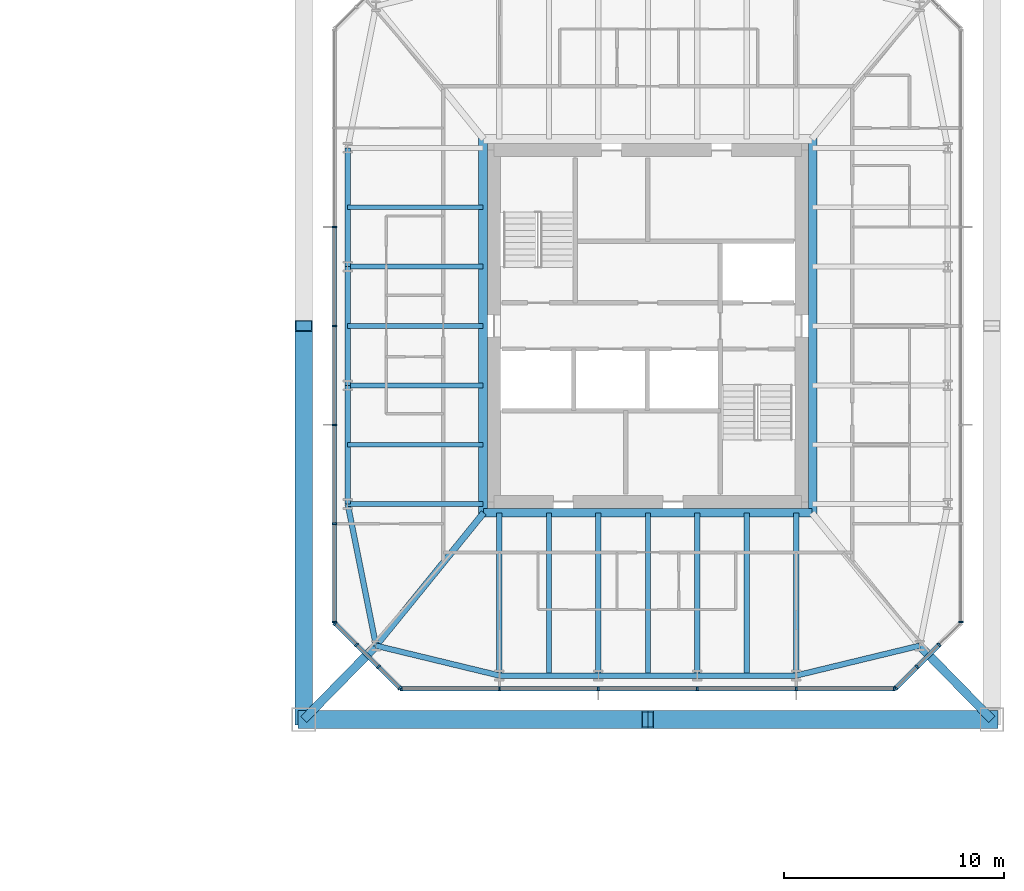
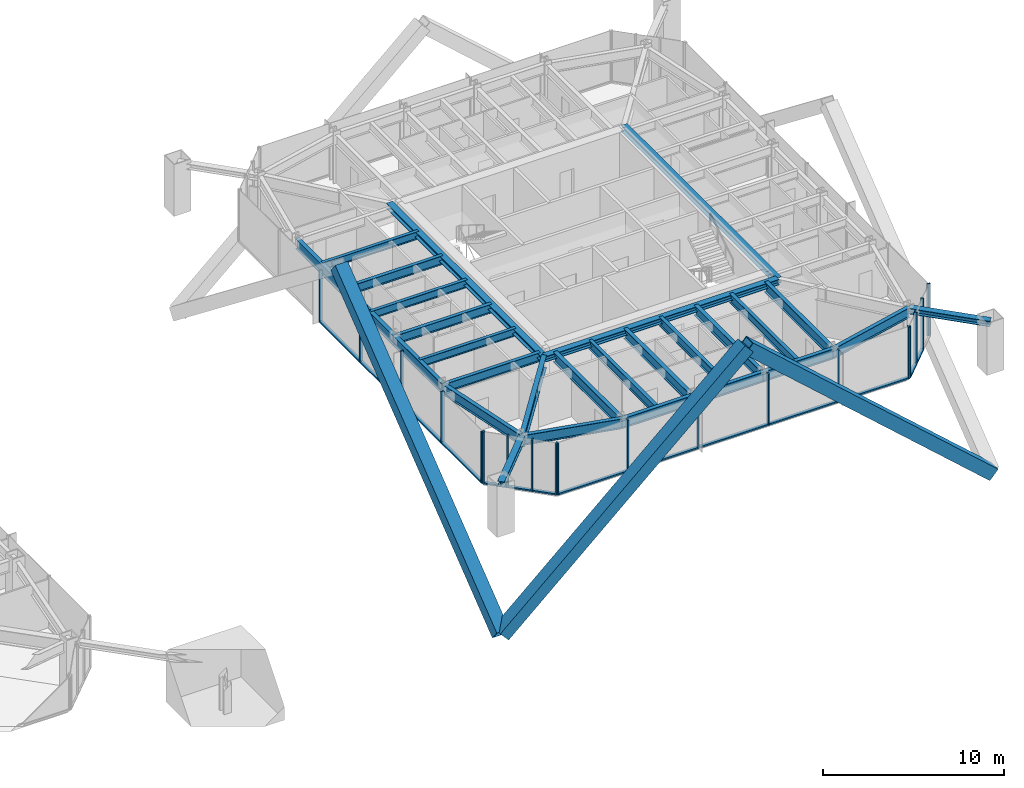
# One storey, part 8 of 25: 38 members, 26 beams, 5 elements without a shape of their own.
"""IFC4 building model written with IfcOpenShell, lengths in metres."""

import ifcopenshell
import ifcopenshell.guid

model = None  # the IFC model being written
_history = None  # IfcOwnerHistory: only IFC2X3 demands one
_inside = {}  # id of a spatial element -> (the spatial element, [elements in it])
_under = {}  # id of a project, library or spatial element -> (it, [spatial elements below it])
_declared = {}  # id of a project -> (the project, [libraries it declares])
_typed = {}  # id of a type object -> (the type object, [elements of that type])
_made_of = {}  # id of a material, layer set ... -> (it, [elements and type objects made of it])


def new_model(schema):
    """Start an empty IFC model of exactly this schema.

    Asked for "IFC4X3", IfcOpenShell would pick the latest addendum, in which some entities
    have other attributes; the version numbers below select the first issue.
    IFC2X3 requires an IfcOwnerHistory on every rooted entity: one is made here for all.
    """
    global model, _history
    if schema == "IFC4X3":
        model = ifcopenshell.file(schema_version=(4, 3, 0, 0))
    else:
        model = ifcopenshell.file(schema=schema)
    _inside.clear()
    _under.clear()
    _declared.clear()
    _typed.clear()
    _made_of.clear()
    _history = None
    if model.schema == "IFC2X3":
        org = make("IfcOrganization", Name="unknown")
        user = make(
            "IfcPersonAndOrganization",
            ThePerson=make("IfcPerson", FamilyName="unknown"),
            TheOrganization=org,
        )
        app = make(
            "IfcApplication",
            ApplicationDeveloper=org,
            Version="unknown",
            ApplicationFullName="unknown",
            ApplicationIdentifier="unknown",
        )
        _history = make(
            "IfcOwnerHistory",
            OwningUser=user,
            OwningApplication=app,
            ChangeAction="ADDED",
            CreationDate=0,
        )
    return model


def make(cls, **values):
    """One entity of the class cls with the attributes given. An attribute that is None is left unset."""
    return model.create_entity(
        cls, **{name: value for name, value in values.items() if value is not None}
    )


def rooted(cls, **values):
    """An entity with a GlobalId (a new one), such as an element, a storey or a relation."""
    return make(cls, GlobalId=ifcopenshell.guid.new(), OwnerHistory=_history, **values)


def si_unit(unit_type, name, prefix=None):
    """IfcSIUnit, for example si_unit("LENGTHUNIT", "METRE", prefix="MILLI")."""
    return make("IfcSIUnit", UnitType=unit_type, Prefix=prefix, Name=name)


def assignment(units):
    """IfcUnitAssignment: the units of a project."""
    return None if units is None else make("IfcUnitAssignment", Units=units)


def point(xyz):
    """IfcCartesianPoint."""
    return None if xyz is None else make("IfcCartesianPoint", Coordinates=xyz)


def direction(xyz):
    """IfcDirection."""
    return None if xyz is None else make("IfcDirection", DirectionRatios=xyz)


def frame(location, z_axis=None, x_axis=None):
    """IfcAxis2Placement3D, a coordinate frame: its origin and axes. An axis left out is left unset."""
    return make(
        "IfcAxis2Placement3D",
        Location=point(location),
        Axis=direction(z_axis),
        RefDirection=direction(x_axis),
    )


def frame_2d(location, x_axis=None):
    """IfcAxis2Placement2D, a coordinate frame in the plane: its origin and x axis."""
    return make(
        "IfcAxis2Placement2D", Location=point(location), RefDirection=direction(x_axis)
    )


def origin():
    """The frame at (0, 0, 0) with its axes left unset."""
    return frame((0.0, 0.0, 0.0))


def origin_2d():
    """The frame at (0, 0) in the plane with its x axis left unset."""
    return frame_2d((0.0, 0.0))


def place(relative_to, where):
    """IfcLocalPlacement: puts the frame where relative to a parent placement (None: the world)."""
    return make(
        "IfcLocalPlacement", PlacementRelTo=relative_to, RelativePlacement=where
    )


def context(
    kind, dimensions, precision=None, world=None, true_north=None, identifier=None
):
    """IfcGeometricRepresentationContext, for example the 3D "Model" context."""
    return make(
        "IfcGeometricRepresentationContext",
        ContextIdentifier=identifier,
        ContextType=kind,
        CoordinateSpaceDimension=dimensions,
        Precision=precision,
        WorldCoordinateSystem=world,
        TrueNorth=true_north,
    )


def subcontext(parent, identifier, kind, view, scale=None):
    """IfcGeometricRepresentationSubContext, for example "Body" below "Model"."""
    return make(
        "IfcGeometricRepresentationSubContext",
        ContextIdentifier=identifier,
        ContextType=kind,
        ParentContext=parent,
        TargetScale=scale,
        TargetView=view,
    )


def project(units=None, contexts=None):
    """IfcProject with its units and contexts."""
    return rooted(
        "IfcProject",
        Name="project",
        RepresentationContexts=contexts,
        UnitsInContext=assignment(units),
    )


def spatial(cls, under=None, at=None, **own):
    """A site, building, storey or space (cls), placed at a placement, below another one or the project."""
    s = rooted(cls, ObjectPlacement=at, **own)
    if under is not None:
        _under.setdefault(under.id(), (under, []))[1].append(s)
    return s


def profile(cls, at=None, kind="AREA", **sizes):
    """A parametric profile (cls). Its sizes go by their IFC names, for example OverallWidth=200.0."""
    return make(cls, ProfileType=kind, Position=at, **sizes)


def rectangle(**sizes):
    """IfcRectangleProfileDef."""
    return profile("IfcRectangleProfileDef", **sizes)


def hollow_rectangle(**sizes):
    """IfcRectangleHollowProfileDef."""
    return profile("IfcRectangleHollowProfileDef", **sizes)


def i_section(**sizes):
    """IfcIShapeProfileDef."""
    return profile("IfcIShapeProfileDef", **sizes)


def extrude(swept, where, along, depth):
    """IfcExtrudedAreaSolid: the profile swept, set in the frame where, extruded along a direction by depth."""
    return make(
        "IfcExtrudedAreaSolid",
        SweptArea=swept,
        Position=where,
        ExtrudedDirection=direction(along),
        Depth=depth,
    )


def shape(context_of_items, identifier, shape_type, items):
    """IfcShapeRepresentation: the items that make up one representation, for example the "Body"."""
    return make(
        "IfcShapeRepresentation",
        ContextOfItems=context_of_items,
        RepresentationIdentifier=identifier,
        RepresentationType=shape_type,
        Items=items,
    )


def material(Name=None, Category=None):
    """IfcMaterial."""
    return make("IfcMaterial", Name=Name, Category=Category)


def material_profile(
    of_material, cross_section, Name=None, Category=None, Priority=None
):
    """IfcMaterialProfile: a cross section and its material."""
    return make(
        "IfcMaterialProfile",
        Name=Name,
        Material=of_material,
        Profile=cross_section,
        Priority=Priority,
        Category=Category,
    )


def profile_set(profiles, Name=None, composite=None):
    """IfcMaterialProfileSet."""
    return make(
        "IfcMaterialProfileSet",
        Name=Name,
        MaterialProfiles=profiles,
        CompositeProfile=composite,
    )


def made_of(thing, what):
    """Note that an element or type object is made of a material, layer set ...; save() writes the relation."""
    if what is not None:
        _made_of.setdefault(what.id(), (what, []))[1].append(thing)
    return thing


def type_object(cls, material=None, **own):
    """A type object (cls), such as IfcWallType, which elements share."""
    return made_of(rooted(cls, **own), material)


def element(
    cls,
    number,
    at=None,
    inside=None,
    cuts=None,
    type_object=None,
    material=None,
    context=None,
    identifier="Body",
    shape_type=None,
    held_by="IfcProductDefinitionShape",
    body=None,
    shapes=None,
    **own,
):
    """One element of the class cls, such as IfcWall. Its Tag is "e" and its number.

    at: its placement. inside: the storey or other place that contains it. cuts: it is an
    opening in that element (IfcRelVoidsElement). A single representation is given by context,
    identifier, shape_type and body (its items); several are given by shapes. held_by: the class
    of the entity that holds the representations. save() writes the other relations.
    """
    e = rooted(cls, Tag="e%d" % number, ObjectPlacement=at, **own)
    if body is not None:
        shapes = [shape(context, identifier, shape_type, body)]
    if shapes is not None:
        e.Representation = make(held_by, Representations=shapes)
    if inside is not None:
        _inside.setdefault(inside.id(), (inside, []))[1].append(e)
    if cuts is not None:
        rooted(
            "IfcRelVoidsElement", RelatingBuildingElement=cuts, RelatedOpeningElement=e
        )
    if type_object is not None:
        _typed.setdefault(type_object.id(), (type_object, []))[1].append(e)
    return made_of(e, material)


def aggregate(whole, parts):
    """IfcRelAggregates: a whole, such as a stair, and the parts it consists of."""
    return rooted("IfcRelAggregates", RelatingObject=whole, RelatedObjects=parts)


def save(model, path):
    """Write the relations noted so far, then the file.

    IfcRelAggregates (storeys below a building ...), IfcRelContainedInSpatialStructure (elements
    in a storey), IfcRelDefinesByType, IfcRelAssociatesMaterial and IfcRelDeclares: one each for
    every whole, place, type object, material and project.
    """
    for whole, parts in _under.values():
        aggregate(whole, parts)
    for where, things in _inside.values():
        rooted(
            "IfcRelContainedInSpatialStructure",
            RelatedElements=things,
            RelatingStructure=where,
        )
    for kind, things in _typed.values():
        rooted("IfcRelDefinesByType", RelatedObjects=things, RelatingType=kind)
    for what, things in _made_of.values():
        rooted("IfcRelAssociatesMaterial", RelatedObjects=things, RelatingMaterial=what)
    for by, libraries in _declared.values():
        rooted("IfcRelDeclares", RelatingContext=by, RelatedDefinitions=libraries)
    model.write(path)


model = new_model("IFC4")

# Units and contexts
model_context = context("Model", 3, precision=1e-05, world=origin(), true_north=direction((0.0, 1.0)))
body_context = subcontext(model_context, "Body", "Model", "MODEL_VIEW")
ifc_project = project(units=[si_unit("LENGTHUNIT", "METRE"), si_unit("AREAUNIT", "SQUARE_METRE"), si_unit("VOLUMEUNIT", "CUBIC_METRE"), si_unit("PLANEANGLEUNIT", "RADIAN"), si_unit("MASSUNIT", "GRAM", prefix="KILO")], contexts=[model_context])

# Site, building, storey
site_placement = place(None, origin())
site = spatial("IfcSite", under=ifc_project, at=site_placement, CompositionType="ELEMENT")
building_placement = place(site_placement, origin())
building = spatial("IfcBuilding", under=site, at=building_placement, Name="Iwan Alto Co-Living Towers", CompositionType="ELEMENT")
storey_placement = place(building_placement, frame((0.0, 0.0, 108.5)))
storey = spatial("IfcBuildingStorey", under=building, at=storey_placement, Name="L29", CompositionType="ELEMENT", Elevation=108.5)

# Curtain wall, members
ifc_material_1 = material(Name="Bronze aluminium unitised frame", Category="aluminium")
curtain_wall_type_1 = type_object("IfcCurtainWallType", Name="CURTAIN WALL CW-C", PredefinedType="NOTDEFINED", material=ifc_material_1)
curtain_wall_1_placement = place(storey_placement, origin())
curtain_wall_1 = element("IfcCurtainWall", 1, at=curtain_wall_1_placement, inside=storey, type_object=curtain_wall_type_1, Name="T2 curtain wall S L29", PredefinedType="NOTDEFINED")
ifc_material_2 = material(Name="Aluminium 6063-T6 bronze anodised", Category="aluminium")
ifc_material_profile_1 = material_profile(ifc_material_2, rectangle(XDim=0.199951171875, YDim=0.080078125, at=origin_2d()), Name="AL 80X200")
ifc_profile_set_1 = profile_set([ifc_material_profile_1], Name="Aluminium 6063-T6 bronze anodised")
member_type_1 = type_object("IfcMemberType", Name="CW-C MULLION 80X200", PredefinedType="MULLION", material=ifc_profile_set_1)
member_1_placement = place(storey_placement, frame((51.7900390625, -16.5, 0.0), z_axis=(0.0, 0.0, 1.0), x_axis=(0.0, 1.0, 0.0)))
member_1 = element("IfcMember", 2, at=member_1_placement, type_object=member_type_1, Name="CW-C mullion 1", PredefinedType="MULLION", context=body_context, shape_type="SweptSolid", body=[
    extrude(rectangle(XDim=0.199951171875, YDim=0.080078125, at=origin_2d()), origin(), (0.0, 0.0, 1.0), 3.5),
])
member_2_placement = place(storey_placement, frame((56.25, -16.5, 0.0), z_axis=(0.0, 0.0, 1.0), x_axis=(0.0, 1.0, 0.0)))
member_2 = element("IfcMember", 3, at=member_2_placement, type_object=member_type_1, Name="CW-C mullion 2", PredefinedType="MULLION", context=body_context, shape_type="SweptSolid", body=[
    extrude(rectangle(XDim=0.199951171875, YDim=0.080078125, at=origin_2d()), origin(), (0.0, 0.0, 1.0), 3.5),
])
member_3_placement = place(storey_placement, frame((60.75, -16.5, 0.0), z_axis=(0.0, 0.0, 1.0), x_axis=(0.0, 1.0, 0.0)))
member_3 = element("IfcMember", 4, at=member_3_placement, type_object=member_type_1, Name="CW-C mullion 3", PredefinedType="MULLION", context=body_context, shape_type="SweptSolid", body=[
    extrude(rectangle(XDim=0.199951171875, YDim=0.080078125, at=origin_2d()), origin(), (0.0, 0.0, 1.0), 3.5),
])
member_4_placement = place(storey_placement, frame((65.25, -16.5, 0.0), z_axis=(0.0, 0.0, 1.0), x_axis=(0.0, 1.0, 0.0)))
member_4 = element("IfcMember", 5, at=member_4_placement, type_object=member_type_1, Name="CW-C mullion 4", PredefinedType="MULLION", context=body_context, shape_type="SweptSolid", body=[
    extrude(rectangle(XDim=0.199951171875, YDim=0.080078125, at=origin_2d()), origin(), (0.0, 0.0, 1.0), 3.5),
])
member_5_placement = place(storey_placement, frame((69.75, -16.5, 0.0), z_axis=(0.0, 0.0, 1.0), x_axis=(0.0, 1.0, 0.0)))
member_5 = element("IfcMember", 6, at=member_5_placement, type_object=member_type_1, Name="CW-C mullion 5", PredefinedType="MULLION", context=body_context, shape_type="SweptSolid", body=[
    extrude(rectangle(XDim=0.199951171875, YDim=0.080078125, at=origin_2d()), origin(), (0.0, 0.0, 1.0), 3.5),
])
member_6_placement = place(storey_placement, frame((74.2099609375, -16.5, 0.0), z_axis=(0.0, 0.0, 1.0), x_axis=(0.0, 1.0, 0.0)))
member_6 = element("IfcMember", 7, at=member_6_placement, type_object=member_type_1, Name="CW-C mullion 6", PredefinedType="MULLION", context=body_context, shape_type="SweptSolid", body=[
    extrude(rectangle(XDim=0.199951171875, YDim=0.080078125, at=origin_2d()), origin(), (0.0, 0.0, 1.0), 3.5),
])

# Curtain wall, member
curtain_wall_2_placement = place(storey_placement, origin())
curtain_wall_2 = element("IfcCurtainWall", 8, at=curtain_wall_2_placement, inside=storey, type_object=curtain_wall_type_1, Name="T2 curtain wall E L29", PredefinedType="NOTDEFINED")
member_7_placement = place(storey_placement, frame((77.25, -13.4599609375, 0.0), z_axis=(0.0, 0.0, 1.0), x_axis=(-1.0, 0.0, 0.0)))
member_7 = element("IfcMember", 9, at=member_7_placement, type_object=member_type_1, Name="CW-C mullion 1", PredefinedType="MULLION", context=body_context, shape_type="SweptSolid", body=[
    extrude(rectangle(XDim=0.199951171875, YDim=0.080078125, at=origin_2d()), origin(), (0.0, 0.0, 1.0), 3.5),
])
aggregate(curtain_wall_2, [member_7])

# Curtain wall, members
curtain_wall_3_placement = place(storey_placement, origin())
curtain_wall_3 = element("IfcCurtainWall", 10, at=curtain_wall_3_placement, inside=storey, type_object=curtain_wall_type_1, Name="T2 curtain wall W L29", PredefinedType="NOTDEFINED")
member_8_placement = place(storey_placement, frame((48.75, 4.5, 0.0), z_axis=(0.0, 0.0, 1.0), x_axis=(1.0, 0.0, 0.0)))
member_8 = element("IfcMember", 11, at=member_8_placement, type_object=member_type_1, Name="CW-C mullion 3", PredefinedType="MULLION", context=body_context, shape_type="SweptSolid", body=[
    extrude(rectangle(XDim=0.199951171875, YDim=0.080078125, at=origin_2d()), origin(), (0.0, 0.0, 1.0), 3.5),
])
member_9_placement = place(storey_placement, frame((48.75, 0.0, 0.0), z_axis=(0.0, 0.0, 1.0), x_axis=(1.0, 0.0, 0.0)))
member_9 = element("IfcMember", 12, at=member_9_placement, type_object=member_type_1, Name="CW-C mullion 4", PredefinedType="MULLION", context=body_context, shape_type="SweptSolid", body=[
    extrude(rectangle(XDim=0.199951171875, YDim=0.080078125, at=origin_2d()), origin(), (0.0, 0.0, 1.0), 3.5),
])
member_10_placement = place(storey_placement, frame((48.75, -4.5, 0.0), z_axis=(0.0, 0.0, 1.0), x_axis=(1.0, 0.0, 0.0)))
member_10 = element("IfcMember", 13, at=member_10_placement, type_object=member_type_1, Name="CW-C mullion 5", PredefinedType="MULLION", context=body_context, shape_type="SweptSolid", body=[
    extrude(rectangle(XDim=0.199951171875, YDim=0.080078125, at=origin_2d()), origin(), (0.0, 0.0, 1.0), 3.5),
])
member_11_placement = place(storey_placement, frame((48.75, -9.0, 0.0), z_axis=(0.0, 0.0, 1.0), x_axis=(1.0, 0.0, 0.0)))
member_11 = element("IfcMember", 14, at=member_11_placement, type_object=member_type_1, Name="CW-C mullion 6", PredefinedType="MULLION", context=body_context, shape_type="SweptSolid", body=[
    extrude(rectangle(XDim=0.199951171875, YDim=0.080078125, at=origin_2d()), origin(), (0.0, 0.0, 1.0), 3.5),
])
member_12_placement = place(storey_placement, frame((48.75, -13.4599609375, 0.0), z_axis=(0.0, 0.0, 1.0), x_axis=(1.0, 0.0, 0.0)))
member_12 = element("IfcMember", 15, at=member_12_placement, type_object=member_type_1, Name="CW-C mullion 7", PredefinedType="MULLION", context=body_context, shape_type="SweptSolid", body=[
    extrude(rectangle(XDim=0.199951171875, YDim=0.080078125, at=origin_2d()), origin(), (0.0, 0.0, 1.0), 3.5),
])

# Member
ifc_material_3 = material(Name="Aluminium 6063-T6 bronze anodised", Category="aluminium")
ifc_material_profile_2 = material_profile(ifc_material_3, rectangle(XDim=0.199951171875, YDim=0.10009765625, at=origin_2d()), Name="AL 200X100")
ifc_profile_set_2 = profile_set([ifc_material_profile_2], Name="Aluminium 6063-T6 bronze anodised")
member_type_2 = type_object("IfcMemberType", Name="CW-C TRANSOM 200X100", PredefinedType="USERDEFINED", material=ifc_profile_set_2)
member_13_placement = place(storey_placement, frame((51.830078125, -16.5, 0.050048828125), z_axis=(1.0, 0.0, 0.0), x_axis=(0.0, 1.0, 0.0)))
member_13 = element("IfcMember", 16, at=member_13_placement, type_object=member_type_2, Name="CW-C transom 1.1", ObjectType="TRANSOM", PredefinedType="USERDEFINED", context=body_context, shape_type="SweptSolid", body=[
    extrude(rectangle(XDim=0.199951171875, YDim=0.10009765625, at=origin_2d()), origin(), (0.0, 0.0, 1.0), 4.3798828125),
])

member_14_placement = place(storey_placement, frame((56.2900390625, -16.5, 0.050048828125), z_axis=(1.0, 0.0, 0.0), x_axis=(0.0, 1.0, 0.0)))
member_14 = element("IfcMember", 17, at=member_14_placement, type_object=member_type_2, Name="CW-C transom 2.1", ObjectType="TRANSOM", PredefinedType="USERDEFINED", context=body_context, shape_type="SweptSolid", body=[
    extrude(rectangle(XDim=0.199951171875, YDim=0.10009765625, at=origin_2d()), origin(), (0.0, 0.0, 1.0), 4.419921875),
])

member_15_placement = place(storey_placement, frame((60.7900390625, -16.5, 0.050048828125), z_axis=(1.0, 0.0, 0.0), x_axis=(0.0, 1.0, 0.0)))
member_15 = element("IfcMember", 18, at=member_15_placement, type_object=member_type_2, Name="CW-C transom 3.1", ObjectType="TRANSOM", PredefinedType="USERDEFINED", context=body_context, shape_type="SweptSolid", body=[
    extrude(rectangle(XDim=0.199951171875, YDim=0.10009765625, at=origin_2d()), origin(), (0.0, 0.0, 1.0), 4.419921875),
])

member_16_placement = place(storey_placement, frame((65.2900390625, -16.5, 0.050048828125), z_axis=(1.0, 0.0, 0.0), x_axis=(0.0, 1.0, 0.0)))
member_16 = element("IfcMember", 19, at=member_16_placement, type_object=member_type_2, Name="CW-C transom 4.1", ObjectType="TRANSOM", PredefinedType="USERDEFINED", context=body_context, shape_type="SweptSolid", body=[
    extrude(rectangle(XDim=0.199951171875, YDim=0.10009765625, at=origin_2d()), origin(), (0.0, 0.0, 1.0), 4.419921875),
])

member_17_placement = place(storey_placement, frame((69.7900390625, -16.5, 0.050048828125), z_axis=(1.0, 0.0, 0.0), x_axis=(0.0, 1.0, 0.0)))
member_17 = element("IfcMember", 20, at=member_17_placement, type_object=member_type_2, Name="CW-C transom 5.1", ObjectType="TRANSOM", PredefinedType="USERDEFINED", context=body_context, shape_type="SweptSolid", body=[
    extrude(rectangle(XDim=0.199951171875, YDim=0.10009765625, at=origin_2d()), origin(), (0.0, 0.0, 1.0), 4.3798828125),
])

aggregate(curtain_wall_1, [member_1, member_2, member_3, member_4, member_5, member_6, member_13, member_14, member_15, member_16, member_17])

member_18_placement = place(storey_placement, frame((48.75, 4.4599609375, 0.050048828125), z_axis=(0.0, -1.0, 0.0), x_axis=(1.0, 0.0, 0.0)))
member_18 = element("IfcMember", 21, at=member_18_placement, type_object=member_type_2, Name="CW-C transom 3.1", ObjectType="TRANSOM", PredefinedType="USERDEFINED", context=body_context, shape_type="SweptSolid", body=[
    extrude(rectangle(XDim=0.199951171875, YDim=0.10009765625, at=origin_2d()), origin(), (0.0, 0.0, 1.0), 4.419921875),
])

member_19_placement = place(storey_placement, frame((48.75, -0.0400390625, 0.050048828125), z_axis=(0.0, -1.0, 0.0), x_axis=(1.0, 0.0, 0.0)))
member_19 = element("IfcMember", 22, at=member_19_placement, type_object=member_type_2, Name="CW-C transom 4.1", ObjectType="TRANSOM", PredefinedType="USERDEFINED", context=body_context, shape_type="SweptSolid", body=[
    extrude(rectangle(XDim=0.199951171875, YDim=0.10009765625, at=origin_2d()), origin(), (0.0, 0.0, 1.0), 4.419921875),
])

member_20_placement = place(storey_placement, frame((48.75, -4.5400390625, 0.050048828125), z_axis=(0.0, -1.0, 0.0), x_axis=(1.0, 0.0, 0.0)))
member_20 = element("IfcMember", 23, at=member_20_placement, type_object=member_type_2, Name="CW-C transom 5.1", ObjectType="TRANSOM", PredefinedType="USERDEFINED", context=body_context, shape_type="SweptSolid", body=[
    extrude(rectangle(XDim=0.199951171875, YDim=0.10009765625, at=origin_2d()), origin(), (0.0, 0.0, 1.0), 4.419921875),
])

member_21_placement = place(storey_placement, frame((48.75, -9.0400390625, 0.050048828125), z_axis=(0.0, -1.0, 0.0), x_axis=(1.0, 0.0, 0.0)))
member_21 = element("IfcMember", 24, at=member_21_placement, type_object=member_type_2, Name="CW-C transom 6.1", ObjectType="TRANSOM", PredefinedType="USERDEFINED", context=body_context, shape_type="SweptSolid", body=[
    extrude(rectangle(XDim=0.199951171875, YDim=0.10009765625, at=origin_2d()), origin(), (0.0, 0.0, 1.0), 4.3798828125),
])

aggregate(curtain_wall_3, [member_8, member_9, member_10, member_11, member_12, member_18, member_19, member_20, member_21])

# Curtain wall, members
ifc_material_4 = material(Name="Bronze aluminium unitised frame", Category="aluminium")
curtain_wall_type_2 = type_object("IfcCurtainWallType", Name="CURTAIN WALL CW-D", PredefinedType="NOTDEFINED", material=ifc_material_4)
curtain_wall_4_placement = place(storey_placement, origin())
curtain_wall_4 = element("IfcCurtainWall", 25, at=curtain_wall_4_placement, inside=storey, type_object=curtain_wall_type_2, Name="T2 chamfer curtain wall SE L29", PredefinedType="NOTDEFINED")
ifc_material_5 = material(Name="Aluminium 6063-T6 bronze anodised", Category="aluminium")
ifc_material_profile_3 = material_profile(ifc_material_5, rectangle(XDim=0.199951171875, YDim=0.080078125, at=origin_2d()), Name="AL 80X200")
ifc_profile_set_3 = profile_set([ifc_material_profile_3], Name="Aluminium 6063-T6 bronze anodised")
member_type_3 = type_object("IfcMemberType", Name="CW-D MULLION 80X200", PredefinedType="MULLION", material=ifc_profile_set_3)
member_22_placement = place(storey_placement, frame((74.2783203125, -16.4716796875, 0.0), z_axis=(0.0, 0.0, 1.0), x_axis=(-0.707106781187, 0.707106781187, 0.0)))
member_22 = element("IfcMember", 26, at=member_22_placement, type_object=member_type_3, Name="CW-D mullion 1", PredefinedType="MULLION", context=body_context, shape_type="SweptSolid", body=[
    extrude(rectangle(XDim=0.199951171875, YDim=0.080078125, at=origin_2d()), origin(), (0.0, 0.0, 1.0), 3.5),
])
member_23_placement = place(storey_placement, frame((75.25, -15.5, 0.0), z_axis=(0.0, 0.0, 1.0), x_axis=(-0.707106781187, 0.707106781187, 0.0)))
member_23 = element("IfcMember", 27, at=member_23_placement, type_object=member_type_3, Name="CW-D mullion 2", PredefinedType="MULLION", context=body_context, shape_type="SweptSolid", body=[
    extrude(rectangle(XDim=0.199951171875, YDim=0.080078125, at=origin_2d()), origin(), (0.0, 0.0, 1.0), 3.5),
])
member_24_placement = place(storey_placement, frame((76.25, -14.5, 0.0), z_axis=(0.0, 0.0, 1.0), x_axis=(-0.707106781187, 0.707106781187, 0.0)))
member_24 = element("IfcMember", 28, at=member_24_placement, type_object=member_type_3, Name="CW-D mullion 3", PredefinedType="MULLION", context=body_context, shape_type="SweptSolid", body=[
    extrude(rectangle(XDim=0.199951171875, YDim=0.080078125, at=origin_2d()), origin(), (0.0, 0.0, 1.0), 3.5),
])

curtain_wall_5_placement = place(storey_placement, origin())
curtain_wall_5 = element("IfcCurtainWall", 29, at=curtain_wall_5_placement, inside=storey, type_object=curtain_wall_type_2, Name="T2 chamfer curtain wall SW L29", PredefinedType="NOTDEFINED")
member_25_placement = place(storey_placement, frame((48.7783203125, -13.5283203125, 0.0), z_axis=(0.0, 0.0, 1.0), x_axis=(0.707106781187, 0.707106781187, 0.0)))
member_25 = element("IfcMember", 30, at=member_25_placement, type_object=member_type_3, Name="CW-D mullion 1", PredefinedType="MULLION", context=body_context, shape_type="SweptSolid", body=[
    extrude(rectangle(XDim=0.199951171875, YDim=0.080078125, at=origin_2d()), origin(), (0.0, 0.0, 1.0), 3.5),
])
member_26_placement = place(storey_placement, frame((49.75, -14.5, 0.0), z_axis=(0.0, 0.0, 1.0), x_axis=(0.707106781187, 0.707106781187, 0.0)))
member_26 = element("IfcMember", 31, at=member_26_placement, type_object=member_type_3, Name="CW-D mullion 2", PredefinedType="MULLION", context=body_context, shape_type="SweptSolid", body=[
    extrude(rectangle(XDim=0.199951171875, YDim=0.080078125, at=origin_2d()), origin(), (0.0, 0.0, 1.0), 3.5),
])
member_27_placement = place(storey_placement, frame((50.75, -15.5, 0.0), z_axis=(0.0, 0.0, 1.0), x_axis=(0.707106781187, 0.707106781187, 0.0)))
member_27 = element("IfcMember", 32, at=member_27_placement, type_object=member_type_3, Name="CW-D mullion 3", PredefinedType="MULLION", context=body_context, shape_type="SweptSolid", body=[
    extrude(rectangle(XDim=0.199951171875, YDim=0.080078125, at=origin_2d()), origin(), (0.0, 0.0, 1.0), 3.5),
])
member_28_placement = place(storey_placement, frame((51.7216796875, -16.4716796875, 0.0), z_axis=(0.0, 0.0, 1.0), x_axis=(0.707106781187, 0.707106781187, 0.0)))
member_28 = element("IfcMember", 33, at=member_28_placement, type_object=member_type_3, Name="CW-D mullion 4", PredefinedType="MULLION", context=body_context, shape_type="SweptSolid", body=[
    extrude(rectangle(XDim=0.199951171875, YDim=0.080078125, at=origin_2d()), origin(), (0.0, 0.0, 1.0), 3.5),
])

# Member
ifc_material_6 = material(Name="Aluminium 6063-T6 bronze anodised", Category="aluminium")
ifc_material_profile_4 = material_profile(ifc_material_6, rectangle(XDim=0.199951171875, YDim=0.10009765625, at=origin_2d()), Name="AL 200X100")
ifc_profile_set_4 = profile_set([ifc_material_profile_4], Name="Aluminium 6063-T6 bronze anodised")
member_type_4 = type_object("IfcMemberType", Name="CW-D TRANSOM 200X100", PredefinedType="USERDEFINED", material=ifc_profile_set_4)
member_29_placement = place(storey_placement, frame((74.306640625, -16.443359375, 0.050048828125), z_axis=(0.707106781187, 0.707106781187, 0.0), x_axis=(-0.707106781187, 0.707106781187, 0.0)))
member_29 = element("IfcMember", 34, at=member_29_placement, type_object=member_type_4, Name="CW-D transom 1.1", ObjectType="TRANSOM", PredefinedType="USERDEFINED", context=body_context, shape_type="SweptSolid", body=[
    extrude(rectangle(XDim=0.199951171875, YDim=0.10009765625, at=origin_2d()), origin(), (0.0, 0.0, 1.0), 1.2939453125),
])

member_30_placement = place(storey_placement, frame((75.2783203125, -15.4716796875, 0.050048828125), z_axis=(0.707106781187, 0.707106781187, 0.0), x_axis=(-0.707106781187, 0.707106781187, 0.0)))
member_30 = element("IfcMember", 35, at=member_30_placement, type_object=member_type_4, Name="CW-D transom 2.1", ObjectType="TRANSOM", PredefinedType="USERDEFINED", context=body_context, shape_type="SweptSolid", body=[
    extrude(rectangle(XDim=0.199951171875, YDim=0.10009765625, at=origin_2d()), origin(), (0.0, 0.0, 1.0), 1.334228515625),
])

aggregate(curtain_wall_4, [member_22, member_23, member_24, member_29, member_30])

member_31_placement = place(storey_placement, frame((48.806640625, -13.556640625, 0.050048828125), z_axis=(0.707106781187, -0.707106781187, 0.0), x_axis=(0.707106781187, 0.707106781187, 0.0)))
member_31 = element("IfcMember", 36, at=member_31_placement, type_object=member_type_4, Name="CW-D transom 1.1", ObjectType="TRANSOM", PredefinedType="USERDEFINED", context=body_context, shape_type="SweptSolid", body=[
    extrude(rectangle(XDim=0.199951171875, YDim=0.10009765625, at=origin_2d()), origin(), (0.0, 0.0, 1.0), 1.2939453125),
])

member_32_placement = place(storey_placement, frame((49.7783203125, -14.5283203125, 0.050048828125), z_axis=(0.707106781187, -0.707106781187, 0.0), x_axis=(0.707106781187, 0.707106781187, 0.0)))
member_32 = element("IfcMember", 37, at=member_32_placement, type_object=member_type_4, Name="CW-D transom 2.1", ObjectType="TRANSOM", PredefinedType="USERDEFINED", context=body_context, shape_type="SweptSolid", body=[
    extrude(rectangle(XDim=0.199951171875, YDim=0.10009765625, at=origin_2d()), origin(), (0.0, 0.0, 1.0), 1.334228515625),
])

member_33_placement = place(storey_placement, frame((50.7783203125, -15.5283203125, 0.050048828125), z_axis=(0.707106781187, -0.707106781187, 0.0), x_axis=(0.707106781187, 0.707106781187, 0.0)))
member_33 = element("IfcMember", 38, at=member_33_placement, type_object=member_type_4, Name="CW-D transom 3.1", ObjectType="TRANSOM", PredefinedType="USERDEFINED", context=body_context, shape_type="SweptSolid", body=[
    extrude(rectangle(XDim=0.199951171875, YDim=0.10009765625, at=origin_2d()), origin(), (0.0, 0.0, 1.0), 1.2939453125),
])

aggregate(curtain_wall_5, [member_25, member_26, member_27, member_28, member_31, member_32, member_33])

# Beams
ifc_material_7 = material(Name="Steel ASTM A992 Gr 50", Category="steel")
ifc_material_profile_5 = material_profile(ifc_material_7, i_section(OverallWidth=0.398681640625, OverallDepth=0.385986328125, WebThickness=0.02099609375, FlangeThickness=0.033203125, at=origin_2d()), Name="W14X176")
ifc_profile_set_5 = profile_set([ifc_material_profile_5], Name="Steel ASTM A992 Gr 50")
beam_type_1 = type_object("IfcBeamType", Name="T2 CORE LEDGER BEAM W14X176", PredefinedType="BEAM", material=ifc_profile_set_5)
beam_1_placement = place(storey_placement, frame((55.538330078125, -8.49951171875, 3.076904296875), z_axis=(1.0, 0.0, 0.0), x_axis=(0.0, 1.0, 0.0)))
element("IfcBeam", 39, at=beam_1_placement, inside=storey, type_object=beam_type_1, Name="T2 core ledger beam S L30", PredefinedType="BEAM", context=body_context, shape_type="SweptSolid", body=[
    extrude(i_section(OverallWidth=0.398681640625, OverallDepth=0.385986328125, WebThickness=0.02099609375, FlangeThickness=0.033203125, at=origin_2d()), origin(), (0.0, 0.0, 1.0), 14.92333984375),
])
for number, where, z_axis, x_axis, name in (
    (40, (70.49951171875, -8.5458984375, 3.076904296875), (0.0, 1.0, 0.0), (-1.0, 0.0, 0.0), "T2 core ledger beam E L30"),
    (41, (55.50048828125, 8.5458984375, 3.076904296875), (0.0, -1.0, 0.0), (1.0, 0.0, 0.0), "T2 core ledger beam W L30"),
):
    element("IfcBeam", number, at=place(storey_placement, frame(where, z_axis=z_axis, x_axis=x_axis)), inside=storey, type_object=beam_type_1, Name=name, PredefinedType="BEAM", context=body_context, shape_type="SweptSolid", body=[
        extrude(i_section(OverallWidth=0.398681640625, OverallDepth=0.385986328125, WebThickness=0.02099609375, FlangeThickness=0.033203125, at=origin_2d()), origin(), (0.0, 0.0, 1.0), 17.091796875),
    ])
ifc_material_8 = material(Name="Steel ASTM A992 Gr 50", Category="steel")
ifc_material_profile_6 = material_profile(ifc_material_8, i_section(OverallWidth=0.2919921875, OverallDepth=0.8408203125, WebThickness=0.0146484375, FlangeThickness=0.021728515625, at=origin_2d()), Name="W33X130")
ifc_profile_set_6 = profile_set([ifc_material_profile_6], Name="Steel ASTM A992 Gr 50")
beam_type_2 = type_object("IfcBeamType", Name="T2 CORNER GIRDER W33X130", PredefinedType="BEAM", material=ifc_profile_set_6)
beam_2_placement = place(storey_placement, frame((50.638671875, -14.542724609375, 2.849609375), z_axis=(0.629783024592, 0.776771100091, 0.0), x_axis=(-0.776771100091, 0.629783024592, 0.0)))
element("IfcBeam", 42, at=beam_2_placement, inside=storey, type_object=beam_type_2, Name="T2 corner girder CSW L30", PredefinedType="BEAM", context=body_context, shape_type="SweptSolid", body=[
    extrude(i_section(OverallWidth=0.2919921875, OverallDepth=0.8408203125, WebThickness=0.0146484375, FlangeThickness=0.021728515625, at=origin_2d()), origin(), (0.0, 0.0, 1.0), 7.780029296875),
])
ifc_material_9 = material(Name="Steel ASTM A992 Gr 50", Category="steel")
ifc_material_profile_7 = material_profile(ifc_material_9, i_section(OverallWidth=0.25390625, OverallDepth=0.683349609375, WebThickness=0.012451171875, FlangeThickness=0.018798828125, at=origin_2d()), Name="W27X94")
ifc_profile_set_7 = profile_set([ifc_material_profile_7], Name="Steel ASTM A992 Gr 50")
beam_type_3 = type_object("IfcBeamType", Name="T2 EDGE BEAM W27X94", PredefinedType="BEAM", material=ifc_profile_set_7)
beam_3_placement = place(storey_placement, frame((50.638671875, -14.542724609375, 2.928466796875), z_axis=(0.971974673138, -0.235085590323, 0.0), x_axis=(0.235085590323, 0.971974673138, 0.0)))
element("IfcBeam", 43, at=beam_3_placement, inside=storey, type_object=beam_type_3, Name="T2 edge beam CSW L30", PredefinedType="BEAM", context=body_context, shape_type="SweptSolid", body=[
    extrude(i_section(OverallWidth=0.25390625, OverallDepth=0.683349609375, WebThickness=0.012451171875, FlangeThickness=0.018798828125, at=origin_2d()), origin(), (0.0, 0.0, 1.0), 5.773193359375),
])
for number, where, z_axis, x_axis, name in (
    (44, (56.25, -15.89990234375, 2.928466796875), (1.0, 0.0, 0.0), (0.0, 1.0, 0.0), "T2 edge beam S1 L30"),
    (45, (60.75, -15.89990234375, 2.928466796875), (1.0, 0.0, 0.0), (0.0, 1.0, 0.0), "T2 edge beam S2 L30"),
    (46, (65.25, -15.89990234375, 2.928466796875), (1.0, 0.0, 0.0), (0.0, 1.0, 0.0), "T2 edge beam S3 L30"),
):
    element("IfcBeam", number, at=place(storey_placement, frame(where, z_axis=z_axis, x_axis=x_axis)), inside=storey, type_object=beam_type_3, Name=name, PredefinedType="BEAM", context=body_context, shape_type="SweptSolid", body=[
        extrude(i_section(OverallWidth=0.25390625, OverallDepth=0.683349609375, WebThickness=0.012451171875, FlangeThickness=0.018798828125, at=origin_2d()), origin(), (0.0, 0.0, 1.0), 4.5),
    ])
beam_4_placement = place(storey_placement, frame((69.75, -15.89990234375, 2.928466796875), z_axis=(0.971974673138, 0.235085590323, 0.0), x_axis=(-0.235085590323, 0.971974673138, 0.0)))
element("IfcBeam", 47, at=beam_4_placement, inside=storey, type_object=beam_type_3, Name="T2 edge beam S4 L30", PredefinedType="BEAM", context=body_context, shape_type="SweptSolid", body=[
    extrude(i_section(OverallWidth=0.25390625, OverallDepth=0.683349609375, WebThickness=0.012451171875, FlangeThickness=0.018798828125, at=origin_2d()), origin(), (0.0, 0.0, 1.0), 5.773193359375),
])
beam_5_placement = place(storey_placement, frame((49.35009765625, 8.10009765625, 2.928466796875), z_axis=(0.0, -1.0, 0.0), x_axis=(1.0, 0.0, 0.0)))
element("IfcBeam", 48, at=beam_5_placement, inside=storey, type_object=beam_type_3, Name="T2 edge beam W1 L30", PredefinedType="BEAM", context=body_context, shape_type="SweptSolid", body=[
    extrude(i_section(OverallWidth=0.25390625, OverallDepth=0.683349609375, WebThickness=0.012451171875, FlangeThickness=0.018798828125, at=origin_2d()), origin(), (0.0, 0.0, 1.0), 5.400146484375),
])
beam_6_placement = place(storey_placement, frame((49.35009765625, 2.699951171875, 2.928466796875), z_axis=(0.0, -1.0, 0.0), x_axis=(1.0, 0.0, 0.0)))
element("IfcBeam", 49, at=beam_6_placement, inside=storey, type_object=beam_type_3, Name="T2 edge beam W2 L30", PredefinedType="BEAM", context=body_context, shape_type="SweptSolid", body=[
    extrude(i_section(OverallWidth=0.25390625, OverallDepth=0.683349609375, WebThickness=0.012451171875, FlangeThickness=0.018798828125, at=origin_2d()), origin(), (0.0, 0.0, 1.0), 5.39990234375),
])
beam_7_placement = place(storey_placement, frame((49.35009765625, -2.699951171875, 2.928466796875), z_axis=(0.0, -1.0, 0.0), x_axis=(1.0, 0.0, 0.0)))
element("IfcBeam", 50, at=beam_7_placement, inside=storey, type_object=beam_type_3, Name="T2 edge beam W3 L30", PredefinedType="BEAM", context=body_context, shape_type="SweptSolid", body=[
    extrude(i_section(OverallWidth=0.25390625, OverallDepth=0.683349609375, WebThickness=0.012451171875, FlangeThickness=0.018798828125, at=origin_2d()), origin(), (0.0, 0.0, 1.0), 5.400146484375),
])
beam_8_placement = place(storey_placement, frame((49.35009765625, -8.10009765625, 2.928466796875), z_axis=(0.196123281025, -0.980579246487, 0.0), x_axis=(0.980579246487, 0.196123281025, 0.0)))
element("IfcBeam", 51, at=beam_8_placement, inside=storey, type_object=beam_type_3, Name="T2 edge beam W4 L30", PredefinedType="BEAM", context=body_context, shape_type="SweptSolid", body=[
    extrude(i_section(OverallWidth=0.25390625, OverallDepth=0.683349609375, WebThickness=0.012451171875, FlangeThickness=0.018798828125, at=origin_2d()), origin(), (0.0, 0.0, 1.0), 6.5703125),
])

# Members
ifc_material_10 = material(Name="Steel ASTM A572 Gr 50", Category="steel")
ifc_material_profile_8 = material_profile(ifc_material_10, hollow_rectangle(XDim=0.800048828125, YDim=0.800048828125, WallThickness=0.050048828125, at=origin_2d()), Name="BOX 800X800X50")
ifc_profile_set_8 = profile_set([ifc_material_profile_8], Name="Steel ASTM A572 Gr 50")
member_type_5 = type_object("IfcMemberType", Name="T2 MEGA BRACE BOX 800X800X50", PredefinedType="BRACE", material=ifc_profile_set_8)
for number, where, z_axis, x_axis, name in (
    (52, (47.35009765625, -17.89990234375, -7.0), (0.745301519455, 0.0, 0.666727564376), (0.0, 1.0, 0.0), "T2 mega brace Z2B S 1 lower"),
    (53, (78.64990234375, -17.89990234375, -7.0), (-0.745301519455, 0.0, 0.666727564376), (0.0, -1.0, 0.0), "T2 mega brace Z2B S 2 lower"),
):
    element("IfcMember", number, at=place(storey_placement, frame(where, z_axis=z_axis, x_axis=x_axis)), inside=storey, type_object=member_type_5, Name=name, PredefinedType="BRACE", context=body_context, shape_type="SweptSolid", body=[
        extrude(hollow_rectangle(XDim=0.800048828125, YDim=0.800048828125, WallThickness=0.050048828125, at=origin_2d()), origin(), (0.0, 0.0, 1.0), 20.998046875),
    ])
member_34_placement = place(storey_placement, frame((47.35009765625, -17.89990234375, -7.0), z_axis=(0.0, 0.787689053125, 0.616073011572), x_axis=(-1.0, 0.0, 0.0)))
element("IfcMember", 54, at=member_34_placement, inside=storey, type_object=member_type_5, Name="T2 mega brace Z2B W 2 lower", PredefinedType="BRACE", context=body_context, shape_type="SweptSolid", body=[
    extrude(hollow_rectangle(XDim=0.800048828125, YDim=0.800048828125, WallThickness=0.050048828125, at=origin_2d()), origin(), (0.0, 0.0, 1.0), 22.724609375),
])
ifc_material_11 = material(Name="Steel ASTM A992 Gr 50", Category="steel")
ifc_material_profile_9 = material_profile(ifc_material_11, i_section(OverallWidth=0.393798828125, OverallDepth=0.3759765625, WebThickness=0.017333984375, FlangeThickness=0.027587890625, at=origin_2d()), Name="W14X145")
ifc_profile_set_9 = profile_set([ifc_material_profile_9], Name="Steel ASTM A992 Gr 50")
member_type_6 = type_object("IfcMemberType", Name="T2 MEGA COLUMN FLOOR TIE W14X145", PredefinedType="STRUT", material=ifc_profile_set_9)
for number, where, z_axis, x_axis, name in (
    (55, (47.35009765625, -17.89990234375, 3.08203125), (0.699770096147, 0.714368121166, 0.0), (-0.714368121166, 0.699770096147, 0.0), "T2 mega column floor tie SW L30"),
    (56, (78.64990234375, -17.89990234375, 3.08203125), (-0.699770096147, 0.714368121166, 0.0), (-0.714368121166, -0.699770096147, 0.0), "T2 mega column floor tie SE L30"),
):
    element("IfcMember", number, at=place(storey_placement, frame(where, z_axis=z_axis, x_axis=x_axis)), inside=storey, type_object=member_type_6, Name=name, PredefinedType="STRUT", context=body_context, shape_type="SweptSolid", body=[
        extrude(i_section(OverallWidth=0.393798828125, OverallDepth=0.3759765625, WebThickness=0.017333984375, FlangeThickness=0.027587890625, at=origin_2d()), origin(), (0.0, 0.0, 1.0), 4.699462890625),
    ])

# Beams
ifc_material_12 = material(Name="Steel ASTM A992 Gr 50", Category="steel")
ifc_material_profile_10 = material_profile(ifc_material_12, i_section(OverallWidth=0.228271484375, OverallDepth=0.607177734375, WebThickness=0.01123046875, FlangeThickness=0.017333984375, at=origin_2d()), Name="W24X76")
ifc_profile_set_10 = profile_set([ifc_material_profile_10], Name="Steel ASTM A992 Gr 50")
beam_type_4 = type_object("IfcBeamType", Name="T2 RADIAL BEAM W24X76", PredefinedType="BEAM", material=ifc_profile_set_10)
for number, where, z_axis, x_axis, name in (
    (57, (49.35009765625, 2.699951171875, 2.966552734375), (1.0, 0.0, 0.0), (0.0, 1.0, 0.0), "T2 radial beam W2 L30"),
    (58, (49.35009765625, -2.699951171875, 2.966552734375), (1.0, 0.0, 0.0), (0.0, 1.0, 0.0), "T2 radial beam W3 L30"),
    (59, (49.35009765625, -8.10009765625, 2.966552734375), (1.0, 0.0, 0.0), (0.0, 1.0, 0.0), "T2 radial beam W4 L30"),
):
    element("IfcBeam", number, at=place(storey_placement, frame(where, z_axis=z_axis, x_axis=x_axis)), inside=storey, type_object=beam_type_4, Name=name, PredefinedType="BEAM", context=body_context, shape_type="SweptSolid", body=[
        extrude(i_section(OverallWidth=0.228271484375, OverallDepth=0.607177734375, WebThickness=0.01123046875, FlangeThickness=0.017333984375, at=origin_2d()), origin(), (0.0, 0.0, 1.0), 6.150390625),
    ])
ifc_material_13 = material(Name="Steel ASTM A992 Gr 50", Category="steel")
ifc_material_profile_11 = material_profile(ifc_material_13, i_section(OverallWidth=0.25390625, OverallDepth=0.683349609375, WebThickness=0.012451171875, FlangeThickness=0.018798828125, at=origin_2d()), Name="W27X94")
ifc_profile_set_11 = profile_set([ifc_material_profile_11], Name="Steel ASTM A992 Gr 50")
beam_type_5 = type_object("IfcBeamType", Name="T2 RADIAL BEAM W27X94", PredefinedType="BEAM", material=ifc_profile_set_11)
for number, where, z_axis, x_axis, name in (
    (60, (56.25, -15.89990234375, 2.928466796875), (0.0, 1.0, 0.0), (-1.0, 0.0, 0.0), "T2 radial beam S1 L30"),
    (61, (60.75, -15.89990234375, 2.928466796875), (0.0, 1.0, 0.0), (-1.0, 0.0, 0.0), "T2 radial beam S2 L30"),
    (62, (65.25, -15.89990234375, 2.928466796875), (0.0, 1.0, 0.0), (-1.0, 0.0, 0.0), "T2 radial beam S3 L30"),
    (63, (69.75, -15.89990234375, 2.928466796875), (0.0, 1.0, 0.0), (-1.0, 0.0, 0.0), "T2 radial beam S4 L30"),
):
    element("IfcBeam", number, at=place(storey_placement, frame(where, z_axis=z_axis, x_axis=x_axis)), inside=storey, type_object=beam_type_5, Name=name, PredefinedType="BEAM", context=body_context, shape_type="SweptSolid", body=[
        extrude(i_section(OverallWidth=0.25390625, OverallDepth=0.683349609375, WebThickness=0.012451171875, FlangeThickness=0.018798828125, at=origin_2d()), origin(), (0.0, 0.0, 1.0), 7.400390625),
    ])
ifc_material_14 = material(Name="Steel ASTM A992 Gr 50", Category="steel")
ifc_material_profile_12 = material_profile(ifc_material_14, i_section(OverallWidth=0.209228515625, OverallDepth=0.533447265625, WebThickness=0.01025390625, FlangeThickness=0.015625, at=origin_2d()), Name="W21X62")
ifc_profile_set_12 = profile_set([ifc_material_profile_12], Name="Steel ASTM A992 Gr 50")
beam_type_6 = type_object("IfcBeamType", Name="T2 SECONDARY BEAM W21X62", PredefinedType="JOIST", material=ifc_profile_set_12)
for number, where, z_axis, x_axis, name in (
    (64, (49.35009765625, 5.39990234375, 3.00341796875), (1.0, 0.0, 0.0), (0.0, 1.0, 0.0), "T2 secondary beam W1 L30"),
    (65, (49.35009765625, 0.0, 3.00341796875), (1.0, 0.0, 0.0), (0.0, 1.0, 0.0), "T2 secondary beam W2 L30"),
    (66, (49.35009765625, -5.39990234375, 3.00341796875), (1.0, 0.0, 0.0), (0.0, 1.0, 0.0), "T2 secondary beam W3 L30"),
):
    element("IfcBeam", number, at=place(storey_placement, frame(where, z_axis=z_axis, x_axis=x_axis)), inside=storey, type_object=beam_type_6, Name=name, PredefinedType="JOIST", context=body_context, shape_type="SweptSolid", body=[
        extrude(i_section(OverallWidth=0.209228515625, OverallDepth=0.533447265625, WebThickness=0.01025390625, FlangeThickness=0.015625, at=origin_2d()), origin(), (0.0, 0.0, 1.0), 6.150390625),
    ])
ifc_material_15 = material(Name="Steel ASTM A992 Gr 50", Category="steel")
ifc_material_profile_13 = material_profile(ifc_material_15, i_section(OverallWidth=0.228271484375, OverallDepth=0.607177734375, WebThickness=0.01123046875, FlangeThickness=0.017333984375, at=origin_2d()), Name="W24X76")
ifc_profile_set_13 = profile_set([ifc_material_profile_13], Name="Steel ASTM A992 Gr 50")
beam_type_7 = type_object("IfcBeamType", Name="T2 SECONDARY BEAM W24X76", PredefinedType="JOIST", material=ifc_profile_set_13)
for number, where, z_axis, x_axis, name in (
    (67, (58.5, -15.89990234375, 2.966552734375), (0.0, 1.0, 0.0), (-1.0, 0.0, 0.0), "T2 secondary beam S1 L30"),
    (68, (63.0, -15.89990234375, 2.966552734375), (0.0, 1.0, 0.0), (-1.0, 0.0, 0.0), "T2 secondary beam S2 L30"),
    (69, (67.5, -15.89990234375, 2.966552734375), (0.0, 1.0, 0.0), (-1.0, 0.0, 0.0), "T2 secondary beam S3 L30"),
):
    element("IfcBeam", number, at=place(storey_placement, frame(where, z_axis=z_axis, x_axis=x_axis)), inside=storey, type_object=beam_type_7, Name=name, PredefinedType="JOIST", context=body_context, shape_type="SweptSolid", body=[
        extrude(i_section(OverallWidth=0.228271484375, OverallDepth=0.607177734375, WebThickness=0.01123046875, FlangeThickness=0.017333984375, at=origin_2d()), origin(), (0.0, 0.0, 1.0), 7.400390625),
    ])

save(model, "model.ifc")
